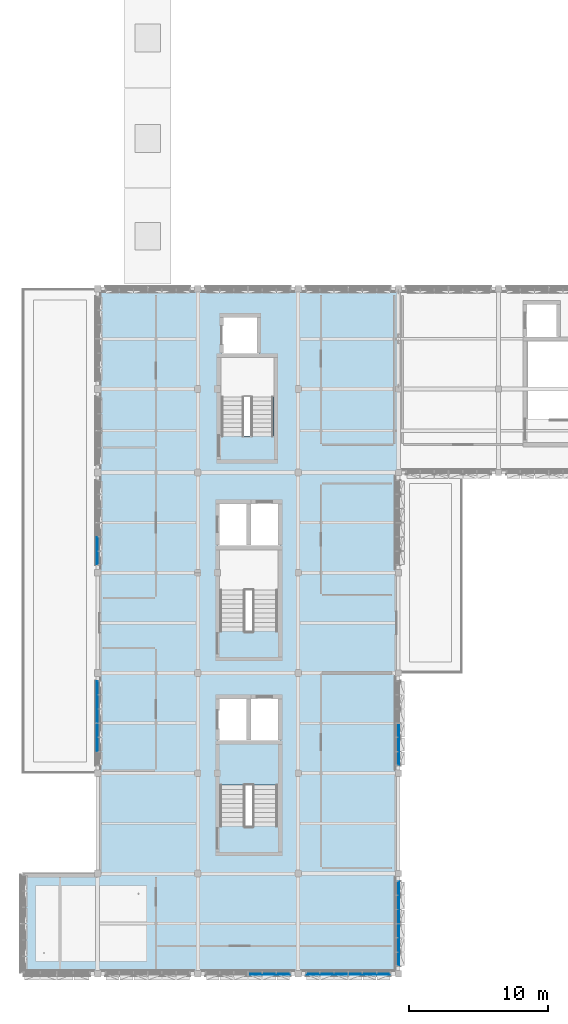
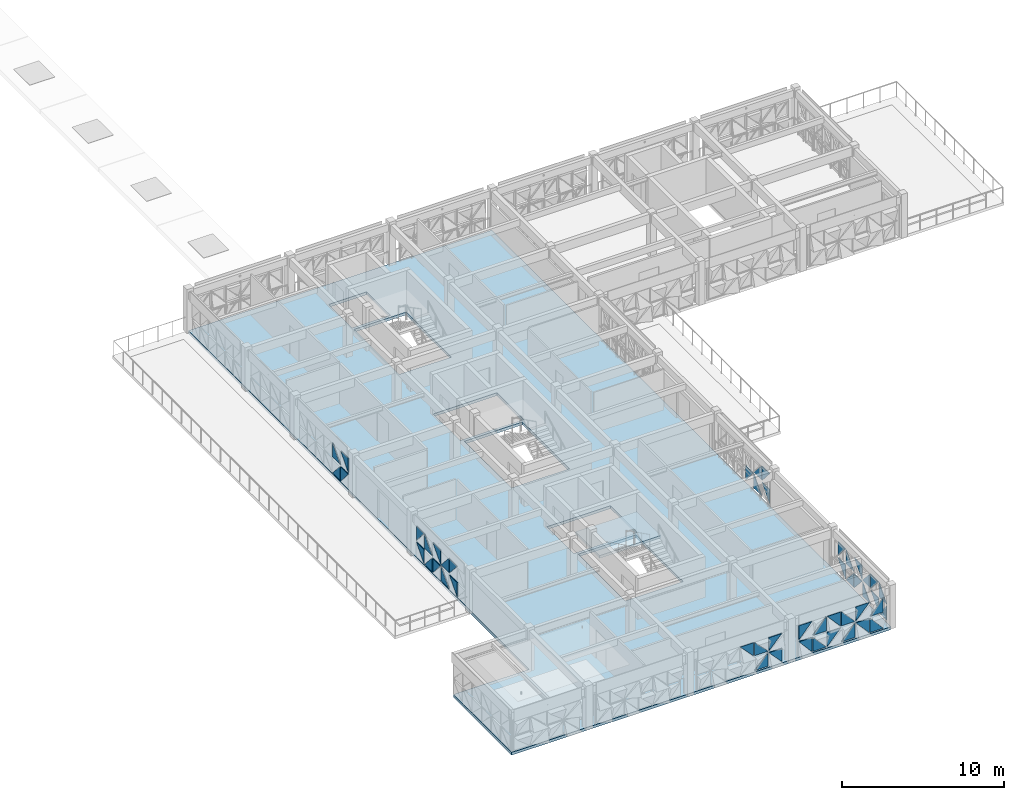
# One storey, part 13 of 35: 48 plates, 2 slabs, 7 elements without a shape of their own.
"""IFC4 building model written with IfcOpenShell, lengths in metres."""

from ifc_helpers import new_model, si_unit, direction, frame, origin, place, context, subcontext, project, spatial, polyline, outline, extrude, material, layer, layer_set, type_object, element, aggregate, save


model = new_model("IFC4")

# Units and contexts
model_context = context("Model", 3, precision=1e-05, world=origin(), true_north=direction((0.0, 1.0)))
body_context = subcontext(model_context, "Body", "Model", "MODEL_VIEW")
ifc_project = project(units=[si_unit("LENGTHUNIT", "METRE"), si_unit("AREAUNIT", "SQUARE_METRE"), si_unit("VOLUMEUNIT", "CUBIC_METRE"), si_unit("PLANEANGLEUNIT", "RADIAN"), si_unit("MASSUNIT", "GRAM", prefix="KILO")], contexts=[model_context])

# Site, building, storey
site_placement = place(None, origin())
site = spatial("IfcSite", under=ifc_project, at=site_placement, CompositionType="ELEMENT")
building_placement = place(site_placement, origin())
building = spatial("IfcBuilding", under=site, at=building_placement, Name="Alvorim Cloister Faculty of Sciences", CompositionType="ELEMENT")
storey_placement = place(building_placement, frame((0.0, 0.0, 22.949951171875)))
storey = spatial("IfcBuildingStorey", under=building, at=storey_placement, Name="L06", CompositionType="ELEMENT", Elevation=22.949951171875)

# Curtain wall, plates
ifc_material_1 = material(Name="Aluminium and Low-E Glass Curtain Wall", Category="aluminium")
curtain_wall_type_1 = type_object("IfcCurtainWallType", Name="CW-TRI-6120x2550", PredefinedType="USERDEFINED", material=ifc_material_1)
curtain_wall_1_placement = place(storey_placement, origin())
curtain_wall_1 = element("IfcCurtainWall", 1, at=curtain_wall_1_placement, inside=storey, type_object=curtain_wall_type_1, Name="L06 Diagonal Cassette Curtain Wall CW-0241", ObjectType="UNITISED CURTAIN WALL", PredefinedType="USERDEFINED")
ifc_material_2 = material(Name="Double Low-E Laminated Glass", Category="glass")
ifc_layer_1 = layer(ifc_material_2, 0.0400390625)
ifc_layer_set_1 = layer_set([ifc_layer_1], Name="Double Low-E Laminated Glass")
plate_type = type_object("IfcPlateType", Name="PN-GLZ-40", PredefinedType="CURTAIN_PANEL", material=ifc_layer_set_1)
plate_1_placement = place(storey_placement, frame((7.175048828125, 23.1923828125, 0.14013671875), z_axis=(0.0, 0.0, 1.0), x_axis=(0.0, 1.0, 0.0)))
plate_1 = element("IfcPlate", 2, at=plate_1_placement, type_object=plate_type, Name="Diagonal Glazed Triangle TRI-TL", PredefinedType="CURTAIN_PANEL", context=body_context, shape_type="SweptSolid", body=[
    extrude(outline(polyline([(0.953125, 1.06494140625), (0.0, 1.06494140625), (0.0, 0.001953125), (0.953125, 1.06494140625)])), frame((0.0, 0.02490234375, 0.0), z_axis=(0.0, -1.0, 0.0), x_axis=(1.0, 0.0, 0.0)), (0.0, 0.0, 1.0), 0.050048828125),
])
plate_2_placement = place(storey_placement, frame((7.175048828125, 23.1923828125, 1.344970703125), z_axis=(0.0, 0.0, 1.0), x_axis=(0.0, 1.0, 0.0)))
plate_2 = element("IfcPlate", 3, at=plate_2_placement, type_object=plate_type, Name="Diagonal Glazed Triangle TRI-TR", PredefinedType="CURTAIN_PANEL", context=body_context, shape_type="SweptSolid", body=[
    extrude(outline(polyline([(0.955078125, 0.001953125), (0.955078125, 1.065185546875), (0.001953125, 1.065185546875), (0.955078125, 0.001953125)])), frame((0.0, 0.02490234375, 0.0), z_axis=(0.0, -1.0, 0.0), x_axis=(1.0, 0.0, 0.0)), (0.0, 0.0, 1.0), 0.050048828125),
])
plate_3_placement = place(storey_placement, frame((7.175048828125, 24.21240234375, 0.14013671875), z_axis=(0.0, 0.0, 1.0), x_axis=(0.0, 1.0, 0.0)))
plate_3 = element("IfcPlate", 4, at=plate_3_placement, type_object=plate_type, Name="Diagonal Glazed Triangle TRI-BR", PredefinedType="CURTAIN_PANEL", context=body_context, shape_type="SweptSolid", body=[
    extrude(outline(polyline([(0.001953125, 0.0), (0.955078125, 0.0), (0.955078125, 1.06298828125), (0.001953125, 0.0)])), frame((0.0, 0.02490234375, 0.0), z_axis=(0.0, -1.0, 0.0), x_axis=(1.0, 0.0, 0.0)), (0.0, 0.0, 1.0), 0.050048828125),
])
plate_4_placement = place(storey_placement, frame((7.175048828125, 24.21240234375, 1.344970703125), z_axis=(0.0, 0.0, 1.0), x_axis=(0.0, 1.0, 0.0)))
plate_4 = element("IfcPlate", 5, at=plate_4_placement, type_object=plate_type, Name="Diagonal Glazed Triangle TRI-BL", PredefinedType="CURTAIN_PANEL", context=body_context, shape_type="SweptSolid", body=[
    extrude(outline(polyline([(0.0, 0.0), (0.953125, 0.0), (0.0, 1.063232421875), (0.0, 0.0)])), frame((0.0, 0.02490234375, 0.0), z_axis=(0.0, -1.0, 0.0), x_axis=(1.0, 0.0, 0.0)), (0.0, 0.0, 1.0), 0.050048828125),
])
plate_5_placement = place(storey_placement, frame((7.175048828125, 25.232421875, 0.14013671875), z_axis=(0.0, 0.0, 1.0), x_axis=(0.0, 1.0, 0.0)))
plate_5 = element("IfcPlate", 6, at=plate_5_placement, type_object=plate_type, Name="Diagonal Glazed Triangle TRI-TR", PredefinedType="CURTAIN_PANEL", context=body_context, shape_type="SweptSolid", body=[
    extrude(outline(polyline([(0.955078125, 0.001953125), (0.955078125, 1.06494140625), (0.001953125, 1.06494140625), (0.955078125, 0.001953125)])), frame((0.0, 0.02490234375, 0.0), z_axis=(0.0, -1.0, 0.0), x_axis=(1.0, 0.0, 0.0)), (0.0, 0.0, 1.0), 0.050048828125),
])
plate_6_placement = place(storey_placement, frame((7.175048828125, 25.232421875, 1.344970703125), z_axis=(0.0, 0.0, 1.0), x_axis=(0.0, 1.0, 0.0)))
plate_6 = element("IfcPlate", 7, at=plate_6_placement, type_object=plate_type, Name="Diagonal Glazed Triangle TRI-TL", PredefinedType="CURTAIN_PANEL", context=body_context, shape_type="SweptSolid", body=[
    extrude(outline(polyline([(0.953125, 1.065185546875), (0.0, 1.065185546875), (0.0, 0.001953125), (0.953125, 1.065185546875)])), frame((0.0, 0.02490234375, 0.0), z_axis=(0.0, -1.0, 0.0), x_axis=(1.0, 0.0, 0.0)), (0.0, 0.0, 1.0), 0.050048828125),
])
plate_7_placement = place(storey_placement, frame((7.175048828125, 26.25244140625, 0.14013671875), z_axis=(0.0, 0.0, 1.0), x_axis=(0.0, 1.0, 0.0)))
plate_7 = element("IfcPlate", 8, at=plate_7_placement, type_object=plate_type, Name="Diagonal Glazed Triangle TRI-BL", PredefinedType="CURTAIN_PANEL", context=body_context, shape_type="SweptSolid", body=[
    extrude(outline(polyline([(0.0, 0.0), (0.953125, 0.0), (0.0, 1.06298828125), (0.0, 0.0)])), frame((0.0, 0.02490234375, 0.0), z_axis=(0.0, -1.0, 0.0), x_axis=(1.0, 0.0, 0.0)), (0.0, 0.0, 1.0), 0.050048828125),
])
plate_8_placement = place(storey_placement, frame((7.175048828125, 26.25244140625, 1.344970703125), z_axis=(0.0, 0.0, 1.0), x_axis=(0.0, 1.0, 0.0)))
plate_8 = element("IfcPlate", 9, at=plate_8_placement, type_object=plate_type, Name="Diagonal Glazed Triangle TRI-BR", PredefinedType="CURTAIN_PANEL", context=body_context, shape_type="SweptSolid", body=[
    extrude(outline(polyline([(0.001953125, 0.0), (0.955078125, 0.0), (0.955078125, 1.063232421875), (0.001953125, 0.0)])), frame((0.0, 0.02490234375, 0.0), z_axis=(0.0, -1.0, 0.0), x_axis=(1.0, 0.0, 0.0)), (0.0, 0.0, 1.0), 0.050048828125),
])
plate_9_placement = place(storey_placement, frame((7.175048828125, 27.2724609375, 0.14013671875), z_axis=(0.0, 0.0, 1.0), x_axis=(0.0, 1.0, 0.0)))
plate_9 = element("IfcPlate", 10, at=plate_9_placement, type_object=plate_type, Name="Diagonal Glazed Triangle TRI-TL", PredefinedType="CURTAIN_PANEL", context=body_context, shape_type="SweptSolid", body=[
    extrude(outline(polyline([(0.920654296875, 1.06494140625), (0.0, 1.06494140625), (0.0, 0.001953125), (0.920654296875, 1.06494140625)])), frame((0.0, 0.02490234375, 0.0), z_axis=(0.0, -1.0, 0.0), x_axis=(1.0, 0.0, 0.0)), (0.0, 0.0, 1.0), 0.050048828125),
])
plate_10_placement = place(storey_placement, frame((7.175048828125, 27.2724609375, 1.344970703125), z_axis=(0.0, 0.0, 1.0), x_axis=(0.0, 1.0, 0.0)))
plate_10 = element("IfcPlate", 11, at=plate_10_placement, type_object=plate_type, Name="Diagonal Glazed Triangle TRI-TR", PredefinedType="CURTAIN_PANEL", context=body_context, shape_type="SweptSolid", body=[
    extrude(outline(polyline([(0.922607421875, 0.001953125), (0.922607421875, 1.065185546875), (0.001953125, 1.065185546875), (0.922607421875, 0.001953125)])), frame((0.0, 0.02490234375, 0.0), z_axis=(0.0, -1.0, 0.0), x_axis=(1.0, 0.0, 0.0)), (0.0, 0.0, 1.0), 0.050048828125),
])
aggregate(curtain_wall_1, [plate_1, plate_2, plate_3, plate_4, plate_5, plate_6, plate_7, plate_8, plate_9, plate_10])

curtain_wall_2_placement = place(storey_placement, origin())
curtain_wall_2 = element("IfcCurtainWall", 12, at=curtain_wall_2_placement, inside=storey, type_object=curtain_wall_type_1, Name="L06 Diagonal Cassette Curtain Wall CW-0242", ObjectType="UNITISED CURTAIN WALL", PredefinedType="USERDEFINED")
plate_11_placement = place(storey_placement, frame((7.175048828125, 36.60498046875, 0.14013671875), z_axis=(0.0, 0.0, 1.0), x_axis=(0.0, 1.0, 0.0)))
plate_11 = element("IfcPlate", 13, at=plate_11_placement, type_object=plate_type, Name="Diagonal Glazed Triangle TRI-TR", PredefinedType="CURTAIN_PANEL", context=body_context, shape_type="SweptSolid", body=[
    extrude(outline(polyline([(0.922607421875, 0.001953125), (0.922607421875, 1.06494140625), (0.001953125, 1.06494140625), (0.922607421875, 0.001953125)])), frame((0.0, 0.02490234375, 0.0), z_axis=(0.0, -1.0, 0.0), x_axis=(1.0, 0.0, 0.0)), (0.0, 0.0, 1.0), 0.050048828125),
])
plate_12_placement = place(storey_placement, frame((7.175048828125, 36.60498046875, 1.344970703125), z_axis=(0.0, 0.0, 1.0), x_axis=(0.0, 1.0, 0.0)))
plate_12 = element("IfcPlate", 14, at=plate_12_placement, type_object=plate_type, Name="Diagonal Glazed Triangle TRI-TL", PredefinedType="CURTAIN_PANEL", context=body_context, shape_type="SweptSolid", body=[
    extrude(outline(polyline([(0.920654296875, 1.065185546875), (0.0, 1.065185546875), (0.0, 0.001953125), (0.920654296875, 1.065185546875)])), frame((0.0, 0.02490234375, 0.0), z_axis=(0.0, -1.0, 0.0), x_axis=(1.0, 0.0, 0.0)), (0.0, 0.0, 1.0), 0.050048828125),
])
plate_13_placement = place(storey_placement, frame((7.175048828125, 37.592529296875, 0.14013671875), z_axis=(0.0, 0.0, 1.0), x_axis=(0.0, 1.0, 0.0)))
plate_13 = element("IfcPlate", 15, at=plate_13_placement, type_object=plate_type, Name="Diagonal Glazed Triangle TRI-BL", PredefinedType="CURTAIN_PANEL", context=body_context, shape_type="SweptSolid", body=[
    extrude(outline(polyline([(0.0, 0.0), (0.953125, 0.0), (0.0, 1.06298828125), (0.0, 0.0)])), frame((0.0, 0.02490234375, 0.0), z_axis=(0.0, -1.0, 0.0), x_axis=(1.0, 0.0, 0.0)), (0.0, 0.0, 1.0), 0.050048828125),
])
plate_14_placement = place(storey_placement, frame((7.175048828125, 37.592529296875, 1.344970703125), z_axis=(0.0, 0.0, 1.0), x_axis=(0.0, 1.0, 0.0)))
plate_14 = element("IfcPlate", 16, at=plate_14_placement, type_object=plate_type, Name="Diagonal Glazed Triangle TRI-BR", PredefinedType="CURTAIN_PANEL", context=body_context, shape_type="SweptSolid", body=[
    extrude(outline(polyline([(0.001953125, 0.0), (0.955078125, 0.0), (0.955078125, 1.063232421875), (0.001953125, 0.0)])), frame((0.0, 0.02490234375, 0.0), z_axis=(0.0, -1.0, 0.0), x_axis=(1.0, 0.0, 0.0)), (0.0, 0.0, 1.0), 0.050048828125),
])
aggregate(curtain_wall_2, [plate_11, plate_12, plate_13, plate_14])

curtain_wall_3_placement = place(storey_placement, origin())
curtain_wall_3 = element("IfcCurtainWall", 17, at=curtain_wall_3_placement, inside=storey, type_object=curtain_wall_type_1, Name="L06 Diagonal Cassette Curtain Wall CW-0256", ObjectType="UNITISED CURTAIN WALL", PredefinedType="USERDEFINED")
plate_15_placement = place(storey_placement, frame((28.824951171875, 22.205078125, 0.14013671875), z_axis=(0.0, 0.0, 1.0), x_axis=(0.0, 1.0, 0.0)))
plate_15 = element("IfcPlate", 18, at=plate_15_placement, type_object=plate_type, Name="Diagonal Glazed Triangle TRI-TL", PredefinedType="CURTAIN_PANEL", context=body_context, shape_type="SweptSolid", body=[
    extrude(outline(polyline([(0.920654296875, 1.06494140625), (0.0, 1.06494140625), (0.0, 0.001953125), (0.920654296875, 1.06494140625)])), frame((0.0, 0.02490234375, 0.0), z_axis=(0.0, -1.0, 0.0), x_axis=(1.0, 0.0, 0.0)), (0.0, 0.0, 1.0), 0.050048828125),
])
plate_16_placement = place(storey_placement, frame((28.824951171875, 22.205078125, 1.344970703125), z_axis=(0.0, 0.0, 1.0), x_axis=(0.0, 1.0, 0.0)))
plate_16 = element("IfcPlate", 19, at=plate_16_placement, type_object=plate_type, Name="Diagonal Glazed Triangle TRI-TR", PredefinedType="CURTAIN_PANEL", context=body_context, shape_type="SweptSolid", body=[
    extrude(outline(polyline([(0.922607421875, 0.001953125), (0.922607421875, 1.065185546875), (0.001953125, 1.065185546875), (0.922607421875, 0.001953125)])), frame((0.0, 0.02490234375, 0.0), z_axis=(0.0, -1.0, 0.0), x_axis=(1.0, 0.0, 0.0)), (0.0, 0.0, 1.0), 0.050048828125),
])
plate_17_placement = place(storey_placement, frame((28.824951171875, 23.1923828125, 0.14013671875), z_axis=(0.0, 0.0, 1.0), x_axis=(0.0, 1.0, 0.0)))
plate_17 = element("IfcPlate", 20, at=plate_17_placement, type_object=plate_type, Name="Diagonal Glazed Triangle TRI-BR", PredefinedType="CURTAIN_PANEL", context=body_context, shape_type="SweptSolid", body=[
    extrude(outline(polyline([(0.001953125, 0.0), (0.955078125, 0.0), (0.955078125, 1.06298828125), (0.001953125, 0.0)])), frame((0.0, 0.02490234375, 0.0), z_axis=(0.0, -1.0, 0.0), x_axis=(1.0, 0.0, 0.0)), (0.0, 0.0, 1.0), 0.050048828125),
])
plate_18_placement = place(storey_placement, frame((28.824951171875, 23.1923828125, 1.344970703125), z_axis=(0.0, 0.0, 1.0), x_axis=(0.0, 1.0, 0.0)))
plate_18 = element("IfcPlate", 21, at=plate_18_placement, type_object=plate_type, Name="Diagonal Glazed Triangle TRI-BL", PredefinedType="CURTAIN_PANEL", context=body_context, shape_type="SweptSolid", body=[
    extrude(outline(polyline([(0.0, 0.0), (0.953125, 0.0), (0.0, 1.063232421875), (0.0, 0.0)])), frame((0.0, 0.02490234375, 0.0), z_axis=(0.0, -1.0, 0.0), x_axis=(1.0, 0.0, 0.0)), (0.0, 0.0, 1.0), 0.050048828125),
])
plate_19_placement = place(storey_placement, frame((28.824951171875, 24.21240234375, 0.14013671875), z_axis=(0.0, 0.0, 1.0), x_axis=(0.0, 1.0, 0.0)))
plate_19 = element("IfcPlate", 22, at=plate_19_placement, type_object=plate_type, Name="Diagonal Glazed Triangle TRI-TR", PredefinedType="CURTAIN_PANEL", context=body_context, shape_type="SweptSolid", body=[
    extrude(outline(polyline([(0.955078125, 0.001953125), (0.955078125, 1.06494140625), (0.001953125, 1.06494140625), (0.955078125, 0.001953125)])), frame((0.0, 0.02490234375, 0.0), z_axis=(0.0, -1.0, 0.0), x_axis=(1.0, 0.0, 0.0)), (0.0, 0.0, 1.0), 0.050048828125),
])
aggregate(curtain_wall_3, [plate_15, plate_16, plate_17, plate_18, plate_19])

curtain_wall_4_placement = place(storey_placement, origin())
curtain_wall_4 = element("IfcCurtainWall", 23, at=curtain_wall_4_placement, inside=storey, type_object=curtain_wall_type_1, Name="L06 Diagonal Cassette Curtain Wall CW-0257", ObjectType="UNITISED CURTAIN WALL", PredefinedType="USERDEFINED")
plate_20_placement = place(storey_placement, frame((28.824951171875, 7.804931640625, 0.14013671875), z_axis=(0.0, 0.0, 1.0), x_axis=(0.0, 1.0, 0.0)))
plate_20 = element("IfcPlate", 24, at=plate_20_placement, type_object=plate_type, Name="Diagonal Glazed Triangle TRI-BL", PredefinedType="CURTAIN_PANEL", context=body_context, shape_type="SweptSolid", body=[
    extrude(outline(polyline([(0.0, 0.0), (0.920654296875, 0.0), (0.0, 1.06298828125), (0.0, 0.0)])), frame((0.0, 0.02490234375, 0.0), z_axis=(0.0, -1.0, 0.0), x_axis=(1.0, 0.0, 0.0)), (0.0, 0.0, 1.0), 0.050048828125),
])
plate_21_placement = place(storey_placement, frame((28.824951171875, 7.804931640625, 1.344970703125), z_axis=(0.0, 0.0, 1.0), x_axis=(0.0, 1.0, 0.0)))
plate_21 = element("IfcPlate", 25, at=plate_21_placement, type_object=plate_type, Name="Diagonal Glazed Triangle TRI-BR", PredefinedType="CURTAIN_PANEL", context=body_context, shape_type="SweptSolid", body=[
    extrude(outline(polyline([(0.001953125, 0.0), (0.922607421875, 0.0), (0.922607421875, 1.063232421875), (0.001953125, 0.0)])), frame((0.0, 0.02490234375, 0.0), z_axis=(0.0, -1.0, 0.0), x_axis=(1.0, 0.0, 0.0)), (0.0, 0.0, 1.0), 0.050048828125),
])
plate_22_placement = place(storey_placement, frame((28.824951171875, 8.79248046875, 0.14013671875), z_axis=(0.0, 0.0, 1.0), x_axis=(0.0, 1.0, 0.0)))
plate_22 = element("IfcPlate", 26, at=plate_22_placement, type_object=plate_type, Name="Diagonal Glazed Triangle TRI-TL", PredefinedType="CURTAIN_PANEL", context=body_context, shape_type="SweptSolid", body=[
    extrude(outline(polyline([(0.953125, 1.06494140625), (0.0, 1.06494140625), (0.0, 0.001953125), (0.953125, 1.06494140625)])), frame((0.0, 0.02490234375, 0.0), z_axis=(0.0, -1.0, 0.0), x_axis=(1.0, 0.0, 0.0)), (0.0, 0.0, 1.0), 0.050048828125),
])
plate_23_placement = place(storey_placement, frame((28.824951171875, 8.79248046875, 1.344970703125), z_axis=(0.0, 0.0, 1.0), x_axis=(0.0, 1.0, 0.0)))
plate_23 = element("IfcPlate", 27, at=plate_23_placement, type_object=plate_type, Name="Diagonal Glazed Triangle TRI-TR", PredefinedType="CURTAIN_PANEL", context=body_context, shape_type="SweptSolid", body=[
    extrude(outline(polyline([(0.955078125, 0.001953125), (0.955078125, 1.065185546875), (0.001953125, 1.065185546875), (0.955078125, 0.001953125)])), frame((0.0, 0.02490234375, 0.0), z_axis=(0.0, -1.0, 0.0), x_axis=(1.0, 0.0, 0.0)), (0.0, 0.0, 1.0), 0.050048828125),
])
plate_24_placement = place(storey_placement, frame((28.824951171875, 9.8125, 0.14013671875), z_axis=(0.0, 0.0, 1.0), x_axis=(0.0, 1.0, 0.0)))
plate_24 = element("IfcPlate", 28, at=plate_24_placement, type_object=plate_type, Name="Diagonal Glazed Triangle TRI-BR", PredefinedType="CURTAIN_PANEL", context=body_context, shape_type="SweptSolid", body=[
    extrude(outline(polyline([(0.001953125, 0.0), (0.955078125, 0.0), (0.955078125, 1.06298828125), (0.001953125, 0.0)])), frame((0.0, 0.02490234375, 0.0), z_axis=(0.0, -1.0, 0.0), x_axis=(1.0, 0.0, 0.0)), (0.0, 0.0, 1.0), 0.050048828125),
])
plate_25_placement = place(storey_placement, frame((28.824951171875, 9.8125, 1.344970703125), z_axis=(0.0, 0.0, 1.0), x_axis=(0.0, 1.0, 0.0)))
plate_25 = element("IfcPlate", 29, at=plate_25_placement, type_object=plate_type, Name="Diagonal Glazed Triangle TRI-BL", PredefinedType="CURTAIN_PANEL", context=body_context, shape_type="SweptSolid", body=[
    extrude(outline(polyline([(0.0, 0.0), (0.953125, 0.0), (0.0, 1.063232421875), (0.0, 0.0)])), frame((0.0, 0.02490234375, 0.0), z_axis=(0.0, -1.0, 0.0), x_axis=(1.0, 0.0, 0.0)), (0.0, 0.0, 1.0), 0.050048828125),
])
plate_26_placement = place(storey_placement, frame((28.824951171875, 10.83251953125, 0.14013671875), z_axis=(0.0, 0.0, 1.0), x_axis=(0.0, 1.0, 0.0)))
plate_26 = element("IfcPlate", 30, at=plate_26_placement, type_object=plate_type, Name="Diagonal Glazed Triangle TRI-TR", PredefinedType="CURTAIN_PANEL", context=body_context, shape_type="SweptSolid", body=[
    extrude(outline(polyline([(0.955078125, 0.001953125), (0.955078125, 1.06494140625), (0.001953125, 1.06494140625), (0.955078125, 0.001953125)])), frame((0.0, 0.02490234375, 0.0), z_axis=(0.0, -1.0, 0.0), x_axis=(1.0, 0.0, 0.0)), (0.0, 0.0, 1.0), 0.050048828125),
])
plate_27_placement = place(storey_placement, frame((28.824951171875, 10.83251953125, 1.344970703125), z_axis=(0.0, 0.0, 1.0), x_axis=(0.0, 1.0, 0.0)))
plate_27 = element("IfcPlate", 31, at=plate_27_placement, type_object=plate_type, Name="Diagonal Glazed Triangle TRI-TL", PredefinedType="CURTAIN_PANEL", context=body_context, shape_type="SweptSolid", body=[
    extrude(outline(polyline([(0.953125, 1.065185546875), (0.0, 1.065185546875), (0.0, 0.001953125), (0.953125, 1.065185546875)])), frame((0.0, 0.02490234375, 0.0), z_axis=(0.0, -1.0, 0.0), x_axis=(1.0, 0.0, 0.0)), (0.0, 0.0, 1.0), 0.050048828125),
])
plate_28_placement = place(storey_placement, frame((28.824951171875, 11.8525390625, 0.14013671875), z_axis=(0.0, 0.0, 1.0), x_axis=(0.0, 1.0, 0.0)))
plate_28 = element("IfcPlate", 32, at=plate_28_placement, type_object=plate_type, Name="Diagonal Glazed Triangle TRI-BL", PredefinedType="CURTAIN_PANEL", context=body_context, shape_type="SweptSolid", body=[
    extrude(outline(polyline([(0.0, 0.0), (0.953125, 0.0), (0.0, 1.06298828125), (0.0, 0.0)])), frame((0.0, 0.02490234375, 0.0), z_axis=(0.0, -1.0, 0.0), x_axis=(1.0, 0.0, 0.0)), (0.0, 0.0, 1.0), 0.050048828125),
])
plate_29_placement = place(storey_placement, frame((28.824951171875, 11.8525390625, 1.344970703125), z_axis=(0.0, 0.0, 1.0), x_axis=(0.0, 1.0, 0.0)))
plate_29 = element("IfcPlate", 33, at=plate_29_placement, type_object=plate_type, Name="Diagonal Glazed Triangle TRI-BR", PredefinedType="CURTAIN_PANEL", context=body_context, shape_type="SweptSolid", body=[
    extrude(outline(polyline([(0.001953125, 0.0), (0.955078125, 0.0), (0.955078125, 1.063232421875), (0.001953125, 0.0)])), frame((0.0, 0.02490234375, 0.0), z_axis=(0.0, -1.0, 0.0), x_axis=(1.0, 0.0, 0.0)), (0.0, 0.0, 1.0), 0.050048828125),
])
plate_30_placement = place(storey_placement, frame((28.824951171875, 12.87255859375, 0.14013671875), z_axis=(0.0, 0.0, 1.0), x_axis=(0.0, 1.0, 0.0)))
plate_30 = element("IfcPlate", 34, at=plate_30_placement, type_object=plate_type, Name="Diagonal Glazed Triangle TRI-TL", PredefinedType="CURTAIN_PANEL", context=body_context, shape_type="SweptSolid", body=[
    extrude(outline(polyline([(0.920654296875, 1.06494140625), (0.0, 1.06494140625), (0.0, 0.001953125), (0.920654296875, 1.06494140625)])), frame((0.0, 0.02490234375, 0.0), z_axis=(0.0, -1.0, 0.0), x_axis=(1.0, 0.0, 0.0)), (0.0, 0.0, 1.0), 0.050048828125),
])
plate_31_placement = place(storey_placement, frame((28.824951171875, 12.87255859375, 1.344970703125), z_axis=(0.0, 0.0, 1.0), x_axis=(0.0, 1.0, 0.0)))
plate_31 = element("IfcPlate", 35, at=plate_31_placement, type_object=plate_type, Name="Diagonal Glazed Triangle TRI-TR", PredefinedType="CURTAIN_PANEL", context=body_context, shape_type="SweptSolid", body=[
    extrude(outline(polyline([(0.922607421875, 0.001953125), (0.922607421875, 1.065185546875), (0.001953125, 1.065185546875), (0.922607421875, 0.001953125)])), frame((0.0, 0.02490234375, 0.0), z_axis=(0.0, -1.0, 0.0), x_axis=(1.0, 0.0, 0.0)), (0.0, 0.0, 1.0), 0.050048828125),
])
aggregate(curtain_wall_4, [plate_20, plate_21, plate_22, plate_23, plate_24, plate_25, plate_26, plate_27, plate_28, plate_29, plate_30, plate_31])

curtain_wall_5_placement = place(storey_placement, origin())
curtain_wall_5 = element("IfcCurtainWall", 36, at=curtain_wall_5_placement, inside=storey, type_object=curtain_wall_type_1, Name="L06 Diagonal Cassette Curtain Wall CW-0258", ObjectType="UNITISED CURTAIN WALL", PredefinedType="USERDEFINED")
plate_32_placement = place(storey_placement, frame((22.205078125, 7.175048828125, 0.14013671875), z_axis=(0.0, 0.0, 1.0), x_axis=(1.0, 0.0, 0.0)))
plate_32 = element("IfcPlate", 37, at=plate_32_placement, type_object=plate_type, Name="Diagonal Glazed Triangle TRI-TR", PredefinedType="CURTAIN_PANEL", context=body_context, shape_type="SweptSolid", body=[
    extrude(outline(polyline([(0.922607421875, 0.001953125), (0.922607421875, 1.06494140625), (0.001953125, 1.06494140625), (0.922607421875, 0.001953125)])), frame((0.0, 0.02490234375, 0.0), z_axis=(0.0, -1.0, 0.0), x_axis=(1.0, 0.0, 0.0)), (0.0, 0.0, 1.0), 0.050048828125),
])
plate_33_placement = place(storey_placement, frame((22.205078125, 7.175048828125, 1.344970703125), z_axis=(0.0, 0.0, 1.0), x_axis=(1.0, 0.0, 0.0)))
plate_33 = element("IfcPlate", 38, at=plate_33_placement, type_object=plate_type, Name="Diagonal Glazed Triangle TRI-TL", PredefinedType="CURTAIN_PANEL", context=body_context, shape_type="SweptSolid", body=[
    extrude(outline(polyline([(0.920654296875, 1.065185546875), (0.0, 1.065185546875), (0.0, 0.001953125), (0.920654296875, 1.065185546875)])), frame((0.0, 0.02490234375, 0.0), z_axis=(0.0, -1.0, 0.0), x_axis=(1.0, 0.0, 0.0)), (0.0, 0.0, 1.0), 0.050048828125),
])
plate_34_placement = place(storey_placement, frame((23.1923828125, 7.175048828125, 0.14013671875), z_axis=(0.0, 0.0, 1.0), x_axis=(1.0, 0.0, 0.0)))
plate_34 = element("IfcPlate", 39, at=plate_34_placement, type_object=plate_type, Name="Diagonal Glazed Triangle TRI-BL", PredefinedType="CURTAIN_PANEL", context=body_context, shape_type="SweptSolid", body=[
    extrude(outline(polyline([(0.0, 0.0), (0.953125, 0.0), (0.0, 1.06298828125), (0.0, 0.0)])), frame((0.0, 0.02490234375, 0.0), z_axis=(0.0, -1.0, 0.0), x_axis=(1.0, 0.0, 0.0)), (0.0, 0.0, 1.0), 0.050048828125),
])
plate_35_placement = place(storey_placement, frame((23.1923828125, 7.175048828125, 1.344970703125), z_axis=(0.0, 0.0, 1.0), x_axis=(1.0, 0.0, 0.0)))
plate_35 = element("IfcPlate", 40, at=plate_35_placement, type_object=plate_type, Name="Diagonal Glazed Triangle TRI-BR", PredefinedType="CURTAIN_PANEL", context=body_context, shape_type="SweptSolid", body=[
    extrude(outline(polyline([(0.001953125, 0.0), (0.955078125, 0.0), (0.955078125, 1.063232421875), (0.001953125, 0.0)])), frame((0.0, 0.02490234375, 0.0), z_axis=(0.0, -1.0, 0.0), x_axis=(1.0, 0.0, 0.0)), (0.0, 0.0, 1.0), 0.050048828125),
])
plate_36_placement = place(storey_placement, frame((24.21240234375, 7.175048828125, 0.14013671875), z_axis=(0.0, 0.0, 1.0), x_axis=(1.0, 0.0, 0.0)))
plate_36 = element("IfcPlate", 41, at=plate_36_placement, type_object=plate_type, Name="Diagonal Glazed Triangle TRI-TL", PredefinedType="CURTAIN_PANEL", context=body_context, shape_type="SweptSolid", body=[
    extrude(outline(polyline([(0.953125, 1.06494140625), (0.0, 1.06494140625), (0.0, 0.001953125), (0.953125, 1.06494140625)])), frame((0.0, 0.02490234375, 0.0), z_axis=(0.0, -1.0, 0.0), x_axis=(1.0, 0.0, 0.0)), (0.0, 0.0, 1.0), 0.050048828125),
])
plate_37_placement = place(storey_placement, frame((24.21240234375, 7.175048828125, 1.344970703125), z_axis=(0.0, 0.0, 1.0), x_axis=(1.0, 0.0, 0.0)))
plate_37 = element("IfcPlate", 42, at=plate_37_placement, type_object=plate_type, Name="Diagonal Glazed Triangle TRI-TR", PredefinedType="CURTAIN_PANEL", context=body_context, shape_type="SweptSolid", body=[
    extrude(outline(polyline([(0.955078125, 0.001953125), (0.955078125, 1.065185546875), (0.001953125, 1.065185546875), (0.955078125, 0.001953125)])), frame((0.0, 0.02490234375, 0.0), z_axis=(0.0, -1.0, 0.0), x_axis=(1.0, 0.0, 0.0)), (0.0, 0.0, 1.0), 0.050048828125),
])
plate_38_placement = place(storey_placement, frame((25.232421875, 7.175048828125, 0.14013671875), z_axis=(0.0, 0.0, 1.0), x_axis=(1.0, 0.0, 0.0)))
plate_38 = element("IfcPlate", 43, at=plate_38_placement, type_object=plate_type, Name="Diagonal Glazed Triangle TRI-BR", PredefinedType="CURTAIN_PANEL", context=body_context, shape_type="SweptSolid", body=[
    extrude(outline(polyline([(0.001953125, 0.0), (0.955078125, 0.0), (0.955078125, 1.06298828125), (0.001953125, 0.0)])), frame((0.0, 0.02490234375, 0.0), z_axis=(0.0, -1.0, 0.0), x_axis=(1.0, 0.0, 0.0)), (0.0, 0.0, 1.0), 0.050048828125),
])
plate_39_placement = place(storey_placement, frame((25.232421875, 7.175048828125, 1.344970703125), z_axis=(0.0, 0.0, 1.0), x_axis=(1.0, 0.0, 0.0)))
plate_39 = element("IfcPlate", 44, at=plate_39_placement, type_object=plate_type, Name="Diagonal Glazed Triangle TRI-BL", PredefinedType="CURTAIN_PANEL", context=body_context, shape_type="SweptSolid", body=[
    extrude(outline(polyline([(0.0, 0.0), (0.953125, 0.0), (0.0, 1.063232421875), (0.0, 0.0)])), frame((0.0, 0.02490234375, 0.0), z_axis=(0.0, -1.0, 0.0), x_axis=(1.0, 0.0, 0.0)), (0.0, 0.0, 1.0), 0.050048828125),
])
plate_40_placement = place(storey_placement, frame((26.25244140625, 7.175048828125, 0.14013671875), z_axis=(0.0, 0.0, 1.0), x_axis=(1.0, 0.0, 0.0)))
plate_40 = element("IfcPlate", 45, at=plate_40_placement, type_object=plate_type, Name="Diagonal Glazed Triangle TRI-TR", PredefinedType="CURTAIN_PANEL", context=body_context, shape_type="SweptSolid", body=[
    extrude(outline(polyline([(0.955078125, 0.001953125), (0.955078125, 1.06494140625), (0.001953125, 1.06494140625), (0.955078125, 0.001953125)])), frame((0.0, 0.02490234375, 0.0), z_axis=(0.0, -1.0, 0.0), x_axis=(1.0, 0.0, 0.0)), (0.0, 0.0, 1.0), 0.050048828125),
])
plate_41_placement = place(storey_placement, frame((26.25244140625, 7.175048828125, 1.344970703125), z_axis=(0.0, 0.0, 1.0), x_axis=(1.0, 0.0, 0.0)))
plate_41 = element("IfcPlate", 46, at=plate_41_placement, type_object=plate_type, Name="Diagonal Glazed Triangle TRI-TL", PredefinedType="CURTAIN_PANEL", context=body_context, shape_type="SweptSolid", body=[
    extrude(outline(polyline([(0.953125, 1.065185546875), (0.0, 1.065185546875), (0.0, 0.001953125), (0.953125, 1.065185546875)])), frame((0.0, 0.02490234375, 0.0), z_axis=(0.0, -1.0, 0.0), x_axis=(1.0, 0.0, 0.0)), (0.0, 0.0, 1.0), 0.050048828125),
])
plate_42_placement = place(storey_placement, frame((27.2724609375, 7.175048828125, 0.14013671875), z_axis=(0.0, 0.0, 1.0), x_axis=(1.0, 0.0, 0.0)))
plate_42 = element("IfcPlate", 47, at=plate_42_placement, type_object=plate_type, Name="Diagonal Glazed Triangle TRI-BL", PredefinedType="CURTAIN_PANEL", context=body_context, shape_type="SweptSolid", body=[
    extrude(outline(polyline([(0.0, 0.0), (0.920654296875, 0.0), (0.0, 1.06298828125), (0.0, 0.0)])), frame((0.0, 0.02490234375, 0.0), z_axis=(0.0, -1.0, 0.0), x_axis=(1.0, 0.0, 0.0)), (0.0, 0.0, 1.0), 0.050048828125),
])
plate_43_placement = place(storey_placement, frame((27.2724609375, 7.175048828125, 1.344970703125), z_axis=(0.0, 0.0, 1.0), x_axis=(1.0, 0.0, 0.0)))
plate_43 = element("IfcPlate", 48, at=plate_43_placement, type_object=plate_type, Name="Diagonal Glazed Triangle TRI-BR", PredefinedType="CURTAIN_PANEL", context=body_context, shape_type="SweptSolid", body=[
    extrude(outline(polyline([(0.001953125, 0.0), (0.922607421875, 0.0), (0.922607421875, 1.063232421875), (0.001953125, 0.0)])), frame((0.0, 0.02490234375, 0.0), z_axis=(0.0, -1.0, 0.0), x_axis=(1.0, 0.0, 0.0)), (0.0, 0.0, 1.0), 0.050048828125),
])
aggregate(curtain_wall_5, [plate_32, plate_33, plate_34, plate_35, plate_36, plate_37, plate_38, plate_39, plate_40, plate_41, plate_42, plate_43])

curtain_wall_type_2 = type_object("IfcCurtainWallType", Name="CW-TRI-6120x2406", PredefinedType="USERDEFINED", material=ifc_material_1)
curtain_wall_6_placement = place(storey_placement, origin())
curtain_wall_6 = element("IfcCurtainWall", 49, at=curtain_wall_6_placement, inside=storey, type_object=curtain_wall_type_2, Name="L06 Diagonal Cassette Curtain Wall CW-0259", ObjectType="UNITISED CURTAIN WALL", PredefinedType="USERDEFINED")
plate_44_placement = place(storey_placement, frame((18.032470703125, 7.175048828125, 1.27294921875), z_axis=(0.0, 0.0, 1.0), x_axis=(1.0, 0.0, 0.0)))
plate_44 = element("IfcPlate", 50, at=plate_44_placement, type_object=plate_type, Name="Diagonal Glazed Triangle TRI-TR", PredefinedType="CURTAIN_PANEL", context=body_context, shape_type="SweptSolid", body=[
    extrude(outline(polyline([(0.955078125, 0.001953125), (0.955078125, 0.9931640625), (0.001953125, 0.9931640625), (0.955078125, 0.001953125)])), frame((0.0, 0.02490234375, 0.0), z_axis=(0.0, -1.0, 0.0), x_axis=(1.0, 0.0, 0.0)), (0.0, 0.0, 1.0), 0.050048828125),
])
plate_45_placement = place(storey_placement, frame((19.052490234375, 7.175048828125, 0.14013671875), z_axis=(0.0, 0.0, 1.0), x_axis=(1.0, 0.0, 0.0)))
plate_45 = element("IfcPlate", 51, at=plate_45_placement, type_object=plate_type, Name="Diagonal Glazed Triangle TRI-BR", PredefinedType="CURTAIN_PANEL", context=body_context, shape_type="SweptSolid", body=[
    extrude(outline(polyline([(0.001953125, 0.0), (0.955078125, 0.0), (0.955078125, 0.990966796875), (0.001953125, 0.0)])), frame((0.0, 0.02490234375, 0.0), z_axis=(0.0, -1.0, 0.0), x_axis=(1.0, 0.0, 0.0)), (0.0, 0.0, 1.0), 0.050048828125),
])
plate_46_placement = place(storey_placement, frame((19.052490234375, 7.175048828125, 1.27294921875), z_axis=(0.0, 0.0, 1.0), x_axis=(1.0, 0.0, 0.0)))
plate_46 = element("IfcPlate", 52, at=plate_46_placement, type_object=plate_type, Name="Diagonal Glazed Triangle TRI-BL", PredefinedType="CURTAIN_PANEL", context=body_context, shape_type="SweptSolid", body=[
    extrude(outline(polyline([(0.0, 0.0), (0.953125, 0.0), (0.0, 0.9912109375), (0.0, 0.0)])), frame((0.0, 0.02490234375, 0.0), z_axis=(0.0, -1.0, 0.0), x_axis=(1.0, 0.0, 0.0)), (0.0, 0.0, 1.0), 0.050048828125),
])
plate_47_placement = place(storey_placement, frame((20.072509765625, 7.175048828125, 0.14013671875), z_axis=(0.0, 0.0, 1.0), x_axis=(1.0, 0.0, 0.0)))
plate_47 = element("IfcPlate", 53, at=plate_47_placement, type_object=plate_type, Name="Diagonal Glazed Triangle TRI-TR", PredefinedType="CURTAIN_PANEL", context=body_context, shape_type="SweptSolid", body=[
    extrude(outline(polyline([(0.922607421875, 0.001953125), (0.922607421875, 0.992919921875), (0.001953125, 0.992919921875), (0.922607421875, 0.001953125)])), frame((0.0, 0.02490234375, 0.0), z_axis=(0.0, -1.0, 0.0), x_axis=(1.0, 0.0, 0.0)), (0.0, 0.0, 1.0), 0.050048828125),
])
plate_48_placement = place(storey_placement, frame((20.072509765625, 7.175048828125, 1.27294921875), z_axis=(0.0, 0.0, 1.0), x_axis=(1.0, 0.0, 0.0)))
plate_48 = element("IfcPlate", 54, at=plate_48_placement, type_object=plate_type, Name="Diagonal Glazed Triangle TRI-TL", PredefinedType="CURTAIN_PANEL", context=body_context, shape_type="SweptSolid", body=[
    extrude(outline(polyline([(0.920654296875, 0.9931640625), (0.0, 0.9931640625), (0.0, 0.001953125), (0.920654296875, 0.9931640625)])), frame((0.0, 0.02490234375, 0.0), z_axis=(0.0, -1.0, 0.0), x_axis=(1.0, 0.0, 0.0)), (0.0, 0.0, 1.0), 0.050048828125),
])
aggregate(curtain_wall_6, [plate_44, plate_45, plate_46, plate_47, plate_48])

# Slab
ifc_material_3 = material(Name="Cross-Laminated Timber CLT C24", Category="wood")
ifc_layer_2 = layer(ifc_material_3, 0.2099609375)
ifc_layer_set_2 = layer_set([ifc_layer_2], Name="Cross-Laminated Timber CLT C24")
slab_type_1 = type_object("IfcSlabType", Name="SL-CLT-210", PredefinedType="FLOOR", material=ifc_layer_set_2)
slab_1_placement = place(storey_placement, frame((0.0, 0.0, -0.2099609375)))
element("IfcSlab", 55, at=slab_1_placement, inside=storey, type_object=slab_type_1, Name="L06 V5 Structural Slab 34", PredefinedType="FLOOR", context=body_context, shape_type="SweptSolid", body=[
    extrude(outline(polyline([(1.804931640625, 7.205078125), (1.804931640625, 14.39501953125), (7.205078125, 14.39501953125), (7.205078125, 56.39501953125), (28.794921875, 56.39501953125), (28.794921875, 7.205078125), (1.804931640625, 7.205078125)]), holes=[polyline([(16.0, 23.60009765625), (16.0, 17.81005859375), (20.1201171875, 17.81005859375), (20.1201171875, 23.60009765625), (16.0, 23.60009765625)]), polyline([(15.800048828125, 27.10009765625), (15.800048828125, 23.800048828125), (18.06005859375, 23.800048828125), (20.320068359375, 23.800048828125), (20.320068359375, 27.10009765625), (18.06005859375, 27.10009765625), (15.800048828125, 27.10009765625)]), polyline([(20.1201171875, 37.60009765625), (16.0, 37.60009765625), (16.0, 31.81005859375), (20.1201171875, 31.81005859375), (20.1201171875, 37.60009765625)]), polyline([(18.06005859375, 37.800048828125), (20.320068359375, 37.800048828125), (20.320068359375, 41.10009765625), (18.06005859375, 41.10009765625), (15.800048828125, 41.10009765625), (15.800048828125, 37.800048828125), (18.06005859375, 37.800048828125)]), polyline([(16.10009765625, 51.39990234375), (16.10009765625, 45.830078125), (19.820068359375, 45.830078125), (19.820068359375, 51.39990234375), (16.10009765625, 51.39990234375)]), polyline([(18.800048828125, 54.5), (16.10009765625, 54.5), (16.10009765625, 51.60009765625), (18.800048828125, 51.60009765625), (18.800048828125, 54.5)])]), origin(), (0.0, 0.0, 1.0), 0.2099609375),
])

# Stair, slab
ifc_material_4 = material(Name="Concrete C40", Category="concrete")
stair_type = type_object("IfcStairType", Name="STR-ST-01-1780x3300", PredefinedType="HALF_TURN_STAIR", material=ifc_material_4)
stair_placement = place(storey_placement, origin())
stair = element("IfcStair", 56, at=stair_placement, inside=storey, type_object=stair_type, Name="L06 Enclosed Smoke-Proof Stair ST-01", PredefinedType="HALF_TURN_STAIR")
ifc_layer_3 = layer(ifc_material_4, 0.199951171875)
ifc_layer_set_3 = layer_set([ifc_layer_3], Name="Concrete C40")
slab_type_2 = type_object("IfcSlabType", Name="SL-LAND-200", PredefinedType="LANDING", material=ifc_layer_set_3)
slab_2_placement = place(storey_placement, frame((0.0, 0.0, 1.449951171875)))
slab_2 = element("IfcSlab", 57, at=slab_2_placement, type_object=slab_type_2, Name="ST-01 landing 1", PredefinedType="LANDING", context=body_context, shape_type="SweptSolid", body=[
    extrude(outline(polyline([(20.239990234375, 20.75), (20.239990234375, 23.719970703125), (15.8798828125, 23.719970703125), (15.8798828125, 20.75), (20.239990234375, 20.75)])), origin(), (0.0, 0.0, 1.0), 0.2001953125),
])
aggregate(stair, [slab_2])

save(model, "model.ifc")
